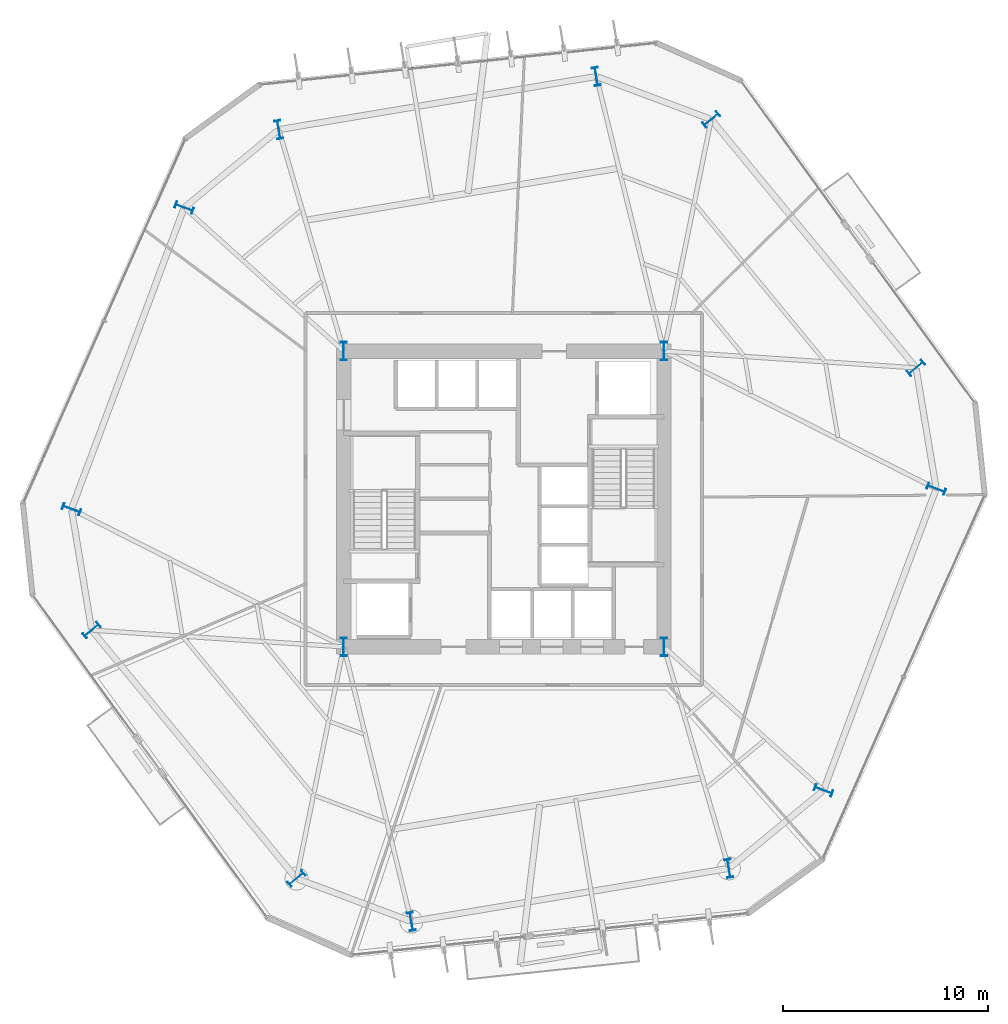
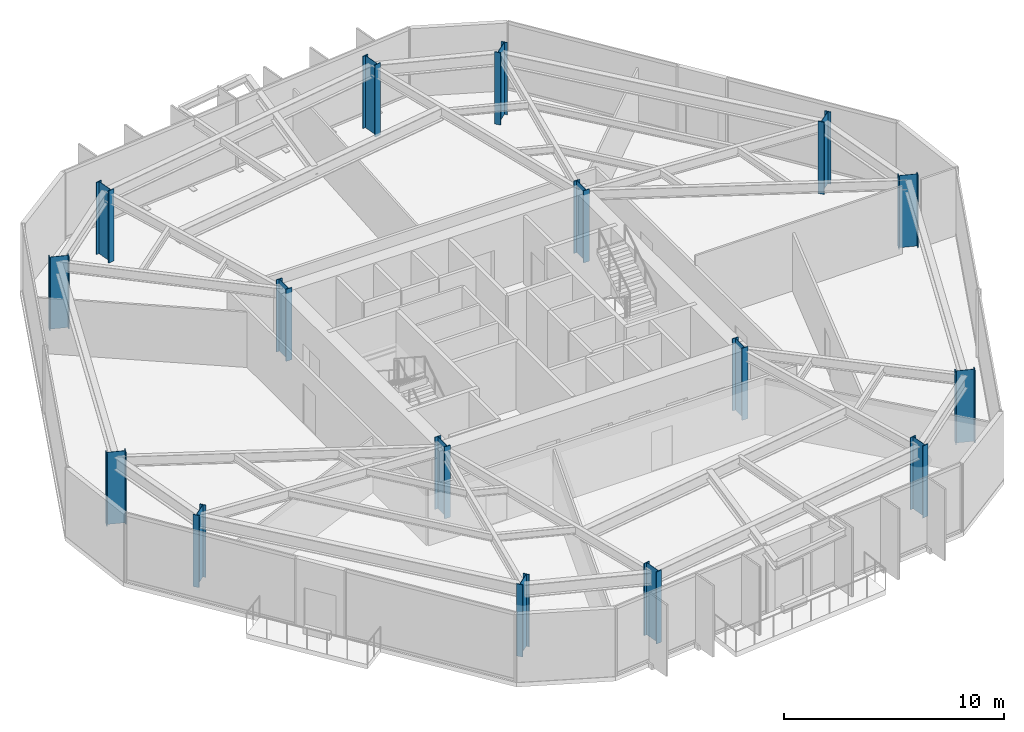
# One storey, part 1 of 11: 16 columns.
"""IFC4 building model written with IfcOpenShell, lengths in metres."""

from ifc_helpers import new_model, si_unit, direction, frame, origin, origin_2d, place, context, subcontext, project, spatial, i_section, extrude, material, material_profile, profile_set, type_object, element, save


model = new_model("IFC4")

# Units and contexts
model_context = context("Model", 3, precision=1e-05, world=origin(), true_north=direction((0.0, 1.0)))
body_context = subcontext(model_context, "Body", "Model", "MODEL_VIEW")
ifc_project = project(units=[si_unit("LENGTHUNIT", "METRE"), si_unit("AREAUNIT", "SQUARE_METRE"), si_unit("VOLUMEUNIT", "CUBIC_METRE"), si_unit("PLANEANGLEUNIT", "RADIAN"), si_unit("MASSUNIT", "GRAM", prefix="KILO")], contexts=[model_context])

# Site, building, storey
site_placement = place(None, origin())
site = spatial("IfcSite", under=ifc_project, at=site_placement, CompositionType="ELEMENT")
building_placement = place(site_placement, origin())
building = spatial("IfcBuilding", under=site, at=building_placement, Name="Kranzbogen Civic Tower", CompositionType="ELEMENT")
storey_placement = place(building_placement, frame((0.0, 0.0, 44.0)))
storey = spatial("IfcBuildingStorey", under=building, at=storey_placement, Name="L10", CompositionType="ELEMENT", Elevation=44.0)

# Columns
ifc_material = material(Name="Steel S460", Category="steel")
ifc_material_profile = material_profile(ifc_material, i_section(OverallWidth=0.302001953125, OverallDepth=0.909912109375, WebThickness=0.02099609375, FlangeThickness=0.0400390625, at=origin_2d()), Name="HEM 900")
ifc_profile_set = profile_set([ifc_material_profile], Name="Steel S460")
column_type = type_object("IfcColumnType", Name="Structural Column HEM 900", PredefinedType="COLUMN", material=ifc_profile_set)
for number, where, z_axis, x_axis, name in (
    (1, (17.199951171875, 17.800048828125, 0.0), (0.0, 0.0, 1.0), (1.0, 0.0, 0.0), "L10 composite core corner column 1"),
    (2, (32.800048828125, 17.800048828125, 0.0), (0.0, 0.0, 1.0), (1.0, 0.0, 0.0), "L10 composite core corner column 2"),
    (3, (32.800048828125, 32.199951171875, 0.0), (0.0, 0.0, 1.0), (1.0, 0.0, 0.0), "L10 composite core corner column 3"),
    (4, (17.199951171875, 32.199951171875, 0.0), (0.0, 0.0, 1.0), (1.0, 0.0, 0.0), "L10 composite core corner column 4"),
    (5, (45.072021484375, 31.385986328125, 0.0), (0.0, 0.0, 1.0), (-0.636078220278, 0.771624583388, 0.0), "L10 tower perimeter tube column 01"),
    (6, (35.09912109375, 43.48388671875, 0.0), (0.0, 0.0, 1.0), (-0.636078220278, 0.771624583388, 0.0), "L10 tower perimeter tube column 02"),
    (7, (29.5048828125, 45.575927734375, 0.0), (0.0, 0.0, 1.0), (0.986285601537, 0.165047605861, 0.0), "L10 tower perimeter tube column 03"),
    (8, (14.0419921875, 42.988037109375, 0.0), (0.0, 0.0, 1.0), (0.986285601537, 0.165047605861, 0.0), "L10 tower perimeter tube column 04"),
    (9, (9.43310546875, 39.18896484375, 0.0), (0.0, 0.0, 1.0), (0.350207381259, 0.936672189248, 0.0), "L10 tower perimeter tube column 05"),
    (10, (3.943115234375, 24.50390625, 0.0), (0.0, 0.0, 1.0), (0.350207381259, 0.936672189248, 0.0), "L10 tower perimeter tube column 06"),
    (11, (4.927978515625, 18.614013671875, 0.0), (0.0, 0.0, 1.0), (-0.636078220278, 0.771624583388, 0.0), "L10 tower perimeter tube column 07"),
    (12, (14.90087890625, 6.51611328125, 0.0), (0.0, 0.0, 1.0), (-0.636078220278, 0.771624583388, 0.0), "L10 tower perimeter tube column 08"),
    (13, (20.4951171875, 4.424072265625, 0.0), (0.0, 0.0, 1.0), (0.986285601537, 0.165047605861, 0.0), "L10 tower perimeter tube column 09"),
    (14, (35.9580078125, 7.011962890625, 0.0), (0.0, 0.0, 1.0), (0.986285601537, 0.165047605861, 0.0), "L10 tower perimeter tube column 10"),
    (15, (40.56689453125, 10.81103515625, 0.0), (0.0, 0.0, 1.0), (0.350207381259, 0.936672189248, 0.0), "L10 tower perimeter tube column 11"),
    (16, (46.056884765625, 25.49609375, 0.0), (0.0, 0.0, 1.0), (0.350207381259, 0.936672189248, 0.0), "L10 tower perimeter tube column 12"),
):
    element("IfcColumn", number, at=place(storey_placement, frame(where, z_axis=z_axis, x_axis=x_axis)), inside=storey, type_object=column_type, Name=name, PredefinedType="COLUMN", context=body_context, shape_type="SweptSolid", body=[
        extrude(i_section(OverallWidth=0.302001953125, OverallDepth=0.909912109375, WebThickness=0.02099609375, FlangeThickness=0.0400390625, at=origin_2d()), origin(), (0.0, 0.0, 1.0), 4.0),
    ])

save(model, "model.ifc")
